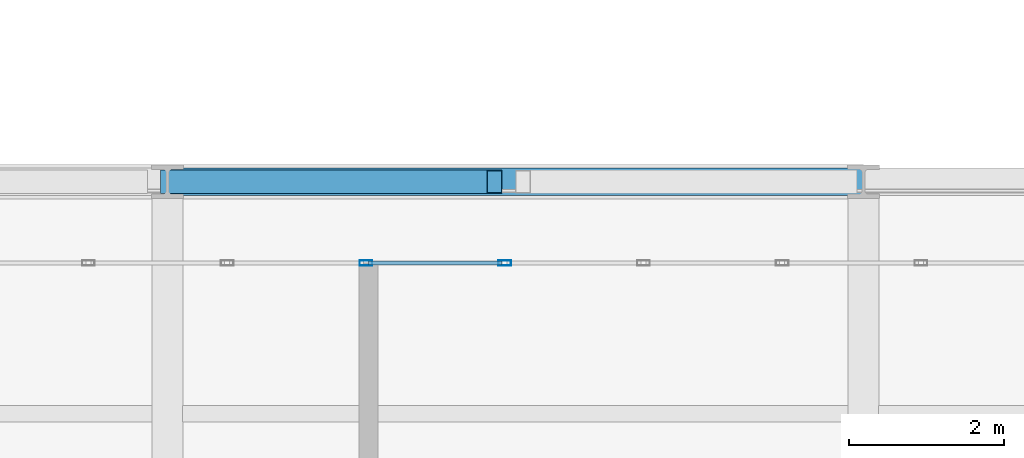
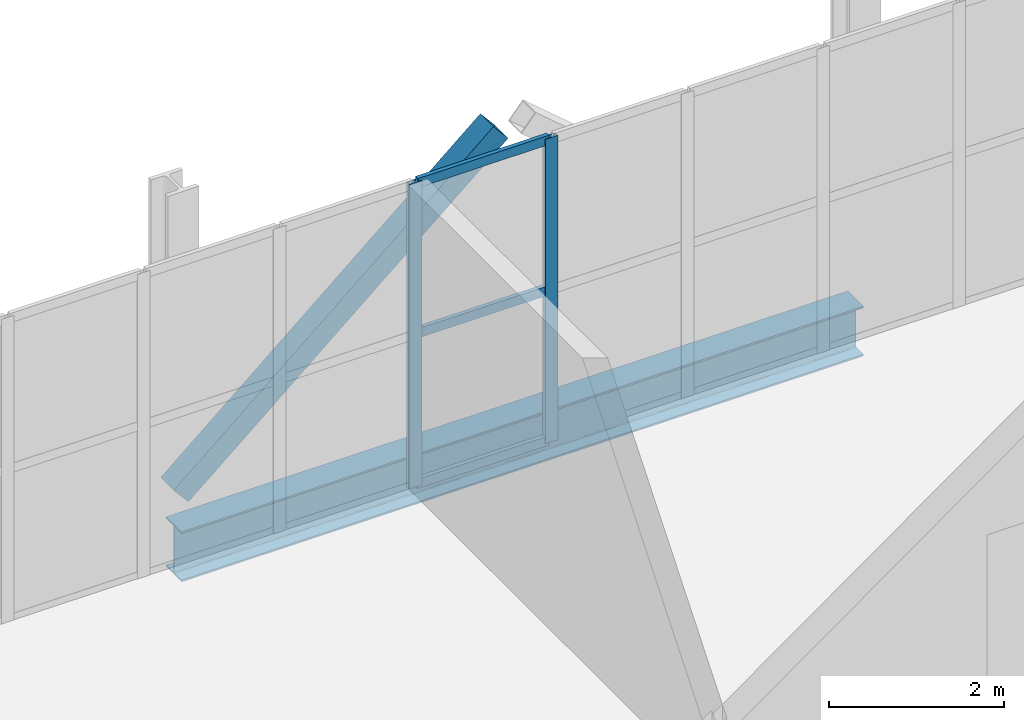
# One storey, part 8 of 27: 6 members, 1 beam, 1 element without a shape of its own.
"""IFC4 building model written with IfcOpenShell, lengths in metres."""

from ifc_helpers import new_model, si_unit, direction, frame, origin, origin_2d, place, context, subcontext, project, spatial, hollow_rectangle, i_section, extrude, material, layer, layer_set, material_profile, profile_set, type_object, element, aggregate, save


model = new_model("IFC4")

# Units and contexts
model_context = context("Model", 3, precision=1e-05, world=origin(), true_north=direction((0.0, 1.0)))
body_context = subcontext(model_context, "Body", "Model", "MODEL_VIEW")
ifc_project = project(units=[si_unit("LENGTHUNIT", "METRE"), si_unit("AREAUNIT", "SQUARE_METRE"), si_unit("VOLUMEUNIT", "CUBIC_METRE"), si_unit("PLANEANGLEUNIT", "RADIAN"), si_unit("MASSUNIT", "GRAM", prefix="KILO")], contexts=[model_context])

# Site, building, storey
site_placement = place(None, origin())
site = spatial("IfcSite", under=ifc_project, at=site_placement, CompositionType="ELEMENT")
building_placement = place(site_placement, origin())
building = spatial("IfcBuilding", under=site, at=building_placement, Name="Mawjdan Bourse Tower", CompositionType="ELEMENT")
storey_placement = place(building_placement, frame((0.0, 0.0, 155.699951171875)))
storey = spatial("IfcBuildingStorey", under=building, at=storey_placement, Name="L37", CompositionType="ELEMENT", Elevation=155.699951171875)

# Member
ifc_material_1 = material(Name="Structural Steel S460", Category="steel")
ifc_material_profile_1 = material_profile(ifc_material_1, hollow_rectangle(XDim=0.300048828125, YDim=0.300048828125, WallThickness=0.012451171875, at=origin_2d()), Name="HSS300X300X12.5")
ifc_profile_set_1 = profile_set([ifc_material_profile_1], Name="Structural Steel S460")
member_type_1 = type_object("IfcMemberType", Name="BRC-HSS300X300X12.5", PredefinedType="BRACE", material=ifc_profile_set_1)
member_1_placement = place(storey_placement, frame((33.008544921875, 21.0, 0.199951171875), z_axis=(0.760807747852, 0.0, 0.648977326883), x_axis=(0.0, 1.0, 0.0)))
element("IfcMember", 1, at=member_1_placement, inside=storey, type_object=member_type_1, Name="L37 East Outrigger Truss 2 Diagonal 3", PredefinedType="BRACE", context=body_context, shape_type="SweptSolid", body=[
    extrude(hollow_rectangle(XDim=0.300048828125, YDim=0.300048828125, WallThickness=0.012451171875, at=origin_2d()), origin(), (0.0, 0.0, 1.0), 5.54736328125),
])

# Curtain wall, members
ifc_material_2 = material(Name="Thermally Broken Aluminium and Solar Glass", Category="aluminium")
ifc_layer = layer(ifc_material_2, 0.219970703125)
ifc_layer_set = layer_set([ifc_layer], Name="Thermally Broken Aluminium and Solar Glass")
curtain_wall_type = type_object("IfcCurtainWallType", Name="CW-RFG", PredefinedType="USERDEFINED", material=ifc_layer_set)
curtain_wall_placement = place(storey_placement, origin())
curtain_wall = element("IfcCurtainWall", 2, at=curtain_wall_placement, inside=storey, type_object=curtain_wall_type, Name="L37 Refuge Band North Louvre Curtain Wall", ObjectType="REFUGE BAND LOUVRE SCREEN", PredefinedType="USERDEFINED")
ifc_material_3 = material(Name="Thermally Broken Anodised Aluminium", Category="aluminium")
ifc_material_profile_2 = material_profile(ifc_material_3, hollow_rectangle(XDim=0.06494140625, YDim=0.1650390625, WallThickness=0.00390625, at=origin_2d()), Name="ALU-MUL-165X65")
ifc_profile_set_2 = profile_set([ifc_material_profile_2], Name="Thermally Broken Anodised Aluminium")
member_type_2 = type_object("IfcMemberType", Name="MUL-ALU-MUL-165X65", PredefinedType="MULLION", material=ifc_profile_set_2)
member_2_placement = place(storey_placement, frame((37.361083984375, 19.949951171875, 0.0), z_axis=(0.0, 0.0, 1.0), x_axis=(0.0, -1.0, 0.0)))
member_2 = element("IfcMember", 3, at=member_2_placement, type_object=member_type_2, Name="CW-RFG-L37-RFG-N mullion 12", PredefinedType="MULLION", context=body_context, shape_type="SweptSolid", body=[
    extrude(hollow_rectangle(XDim=0.06494140625, YDim=0.1650390625, WallThickness=0.00390625, at=origin_2d()), origin(), (0.0, 0.0, 1.0), 4.25),
])
member_3_placement = place(storey_placement, frame((35.566650390625, 19.949951171875, 0.0), z_axis=(0.0, 0.0, 1.0), x_axis=(0.0, -1.0, 0.0)))
member_3 = element("IfcMember", 4, at=member_3_placement, type_object=member_type_2, Name="CW-RFG-L37-RFG-N mullion 13", PredefinedType="MULLION", context=body_context, shape_type="SweptSolid", body=[
    extrude(hollow_rectangle(XDim=0.06494140625, YDim=0.1650390625, WallThickness=0.00390625, at=origin_2d()), origin(), (0.0, 0.0, 1.0), 4.25),
])

# Beam
ifc_material_4 = material(Name="Structural Steel S355", Category="steel")
ifc_material_profile_3 = material_profile(ifc_material_4, i_section(OverallWidth=0.35498046875, OverallDepth=0.696044921875, WebThickness=0.015380859375, FlangeThickness=0.02490234375, FilletRadius=0.019775390625, at=origin_2d()), Name="W27X146")
ifc_profile_set_3 = profile_set([ifc_material_profile_3], Name="Structural Steel S355")
beam_type = type_object("IfcBeamType", Name="SPN-W27X146", PredefinedType="SPANDREL", material=ifc_profile_set_3)
beam_placement = place(storey_placement, frame((33.0, 21.0, -0.6279296875), z_axis=(1.0, 0.0, 0.0), x_axis=(0.0, 1.0, 0.0)))
element("IfcBeam", 5, at=beam_placement, inside=storey, type_object=beam_type, Name="L37 Perimeter Masonry-Shelf Spandrel 015", PredefinedType="SPANDREL", context=body_context, shape_type="SweptSolid", body=[
    extrude(i_section(OverallWidth=0.35498046875, OverallDepth=0.696044921875, WebThickness=0.015380859375, FlangeThickness=0.02490234375, FilletRadius=0.019775390625, at=origin_2d()), origin(), (0.0, 0.0, 1.0), 9.0),
])

# Member
ifc_material_profile_4 = material_profile(ifc_material_3, hollow_rectangle(XDim=0.054931640625, YDim=0.1298828125, WallThickness=0.00341796875, at=origin_2d()), Name="ALU-TRN-130X55")
ifc_profile_set_4 = profile_set([ifc_material_profile_4], Name="Thermally Broken Anodised Aluminium")
member_type_3 = type_object("IfcMemberType", Name="TRN-ALU-TRN-130X55", PredefinedType="USERDEFINED", material=ifc_profile_set_4)
member_4_placement = place(storey_placement, frame((37.32861328125, 19.949951171875, 0.027587890625), z_axis=(-1.0, 0.0, 0.0), x_axis=(0.0, -1.0, 0.0)))
member_4 = element("IfcMember", 6, at=member_4_placement, type_object=member_type_3, Name="CW-RFG-L37-RFG-N transom 12.1", ObjectType="TRANSOM", PredefinedType="USERDEFINED", context=body_context, shape_type="SweptSolid", body=[
    extrude(hollow_rectangle(XDim=0.054931640625, YDim=0.1298828125, WallThickness=0.00341796875, at=origin_2d()), origin(), (0.0, 0.0, 1.0), 1.7294921875),
])

member_5_placement = place(storey_placement, frame((37.32861328125, 19.949951171875, 2.125), z_axis=(-1.0, 0.0, 0.0), x_axis=(0.0, -1.0, 0.0)))
member_5 = element("IfcMember", 7, at=member_5_placement, type_object=member_type_3, Name="CW-RFG-L37-RFG-N transom 12.2", ObjectType="TRANSOM", PredefinedType="USERDEFINED", context=body_context, shape_type="SweptSolid", body=[
    extrude(hollow_rectangle(XDim=0.054931640625, YDim=0.1298828125, WallThickness=0.00341796875, at=origin_2d()), origin(), (0.0, 0.0, 1.0), 1.7294921875),
])

member_6_placement = place(storey_placement, frame((37.32861328125, 19.949951171875, 4.22265625), z_axis=(-1.0, 0.0, 0.0), x_axis=(0.0, -1.0, 0.0)))
member_6 = element("IfcMember", 8, at=member_6_placement, type_object=member_type_3, Name="CW-RFG-L37-RFG-N transom 12.3", ObjectType="TRANSOM", PredefinedType="USERDEFINED", context=body_context, shape_type="SweptSolid", body=[
    extrude(hollow_rectangle(XDim=0.054931640625, YDim=0.1298828125, WallThickness=0.00341796875, at=origin_2d()), origin(), (0.0, 0.0, 1.0), 1.7294921875),
])

aggregate(curtain_wall, [member_2, member_3, member_4, member_5, member_6])

save(model, "model.ifc")
